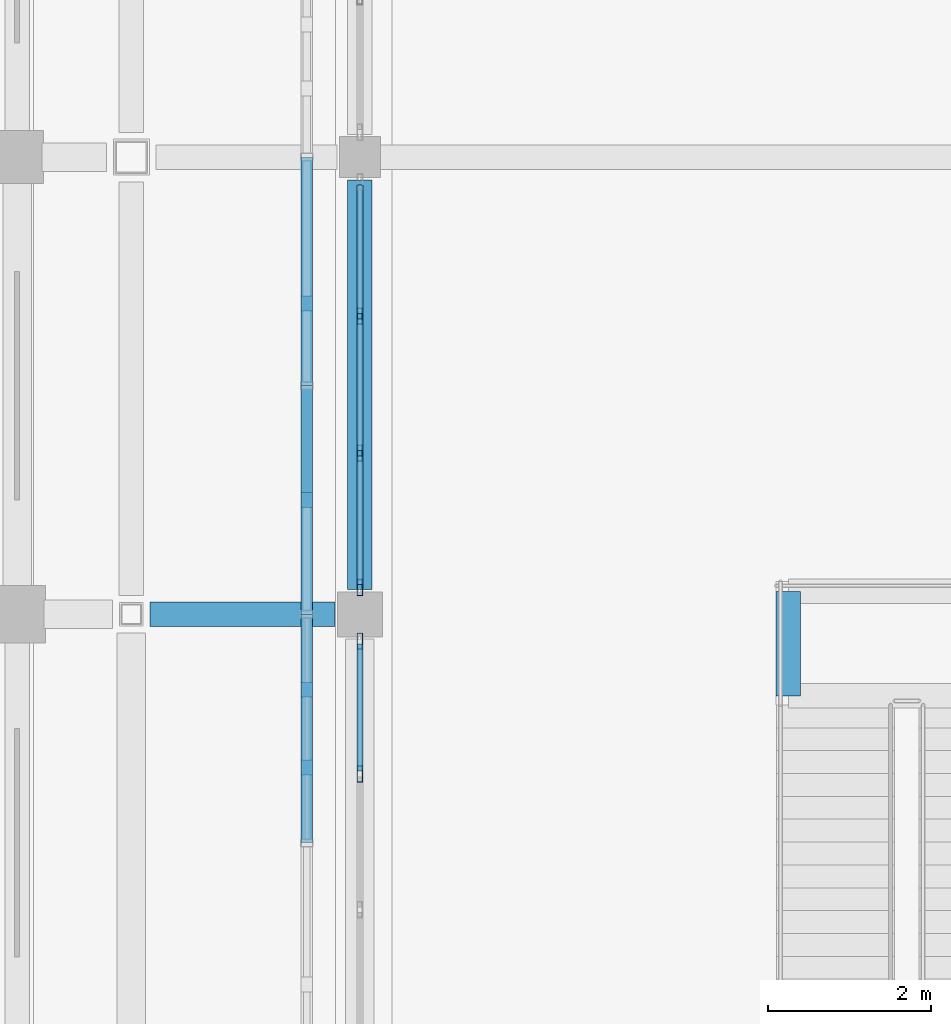
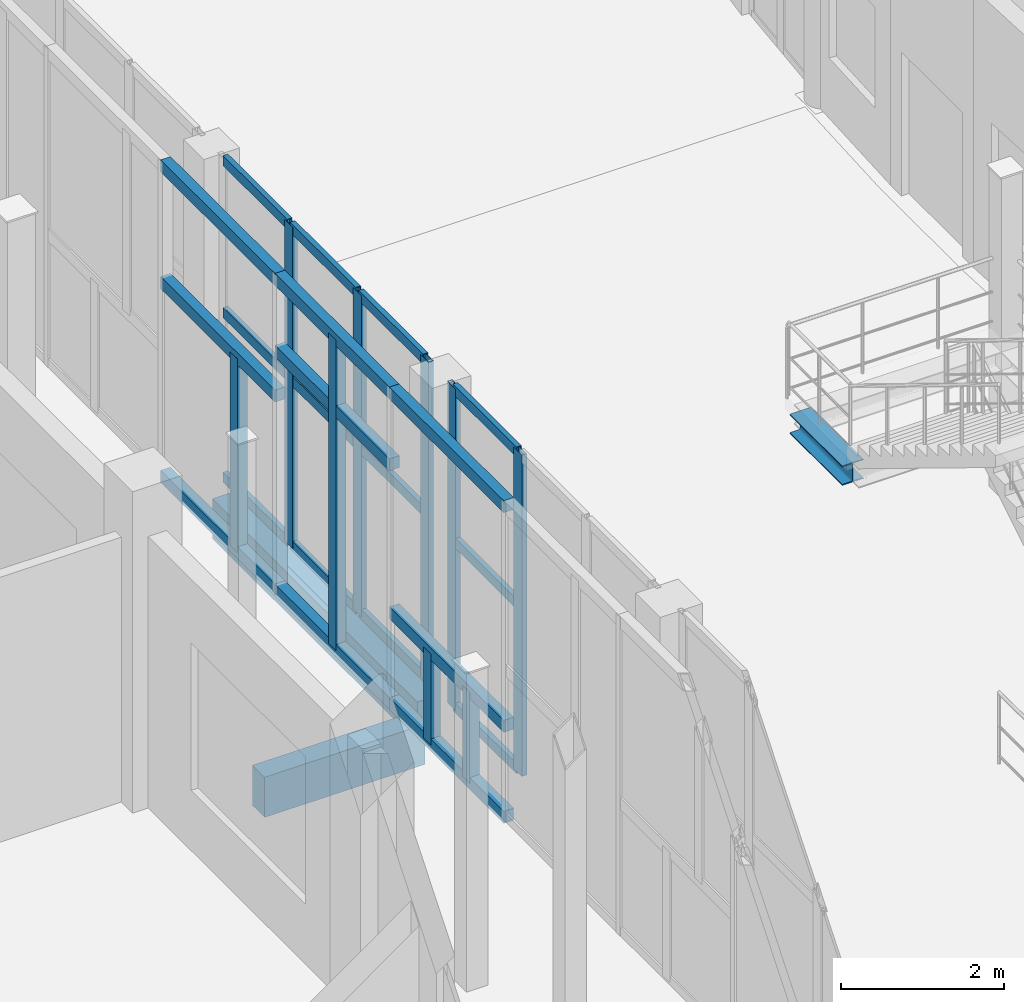
# One storey, part 33 of 91: 30 members, 3 beams, 2 elements without a shape of their own.
"""IFC4 building model written with IfcOpenShell, lengths in metres."""

from ifc_helpers import new_model, si_unit, direction, frame, origin, origin_2d, place, context, subcontext, project, spatial, rectangle, hollow_rectangle, i_section, extrude, material, layer, layer_set, material_profile, profile_set, type_object, element, aggregate, save


model = new_model("IFC4")

# Units and contexts
model_context = context("Model", 3, precision=1e-05, world=origin(), true_north=direction((0.0, 1.0)))
body_context = subcontext(model_context, "Body", "Model", "MODEL_VIEW")
ifc_project = project(units=[si_unit("LENGTHUNIT", "METRE"), si_unit("AREAUNIT", "SQUARE_METRE"), si_unit("VOLUMEUNIT", "CUBIC_METRE"), si_unit("PLANEANGLEUNIT", "RADIAN"), si_unit("MASSUNIT", "GRAM", prefix="KILO")], contexts=[model_context])

# Site, building, storey
site_placement = place(None, origin())
site = spatial("IfcSite", under=ifc_project, at=site_placement, CompositionType="ELEMENT")
building_placement = place(site_placement, origin())
building = spatial("IfcBuilding", under=site, at=building_placement, Name="Vinh Khe Railworks Police Headquarters", CompositionType="ELEMENT")
storey_placement = place(building_placement, origin())
storey = spatial("IfcBuildingStorey", under=building, at=storey_placement, Name="L00", CompositionType="ELEMENT", Elevation=0.0)

# Beam
ifc_material_1 = material(Name="Steel S355JR", Category="steel")
ifc_material_profile_1 = material_profile(ifc_material_1, i_section(OverallWidth=0.300048828125, OverallDepth=0.2900390625, WebThickness=0.008544921875, FlangeThickness=0.013916015625, FilletRadius=0.027099609375, at=origin_2d()), Name="HEA 300")
ifc_profile_set_1 = profile_set([ifc_material_profile_1], Name="Steel S355JR")
beam_type_1 = type_object("IfcBeamType", Name="Feature Stair Trimmer HEA 300", PredefinedType="BEAM", material=ifc_profile_set_1)
beam_1_placement = place(storey_placement, frame((31.64990234375, 35.39990234375, 2.054931640625), z_axis=(0.0, 1.0, 0.0), x_axis=(-1.0, 0.0, 0.0)))
element("IfcBeam", 1, at=beam_1_placement, inside=storey, type_object=beam_type_1, Name="Feature Stair Landing Stringer Beam L00-1", PredefinedType="BEAM", context=body_context, shape_type="SweptSolid", body=[
    extrude(i_section(OverallWidth=0.300048828125, OverallDepth=0.2900390625, WebThickness=0.008544921875, FlangeThickness=0.013916015625, FilletRadius=0.027099609375, at=origin_2d()), origin(), (0.0, 0.0, 1.0), 1.280029296875),
])

# Members
ifc_material_2 = material(Name="Salvaged ironwood timber", Category="wood")
ifc_material_profile_2 = material_profile(ifc_material_2, rectangle(XDim=0.139892578125, YDim=0.179931640625, at=origin_2d()), Name="TIMBER 140x180")
ifc_profile_set_2 = profile_set([ifc_material_profile_2], Name="Salvaged ironwood timber")
member_type_1 = type_object("IfcMemberType", Name="MEM-QUILT-STILE", PredefinedType="CHORD", material=ifc_profile_set_2)
for number, where, z_axis, x_axis, name in (
    (2, (25.75, 33.60009765625, 4.719970703125), (0.0, 1.0, 0.0), (-1.0, 0.0, 0.0), "Salvaged Timber Quilt Transom W-L00-03-TOP"),
    (3, (25.75, 33.60009765625, 0.080078125), (0.0, 1.0, 0.0), (-1.0, 0.0, 0.0), "Salvaged Timber Quilt Transom W-L00-03-BOT"),
    (4, (25.75, 33.60009765625, 1.43994140625), (0.0, 1.0, 0.0), (-1.0, 0.0, 0.0), "Salvaged Timber Quilt Transom W-L00-03-M1"),
):
    element("IfcMember", number, at=place(storey_placement, frame(where, z_axis=z_axis, x_axis=x_axis)), inside=storey, type_object=member_type_1, Name=name, PredefinedType="CHORD", context=body_context, shape_type="SweptSolid", body=[
        extrude(rectangle(XDim=0.139892578125, YDim=0.179931640625, at=origin_2d()), origin(), (0.0, 0.0, 1.0), 2.7998046875),
    ])
for number, where, z_axis, x_axis, name in (
    (5, (25.75, 34.52392578125, 0.080078125), (0.0, 0.0, 1.0), (1.0, 0.0, 0.0), "Salvaged Timber Quilt Stile W-L00-03-V1"),
    (6, (25.75, 35.47607421875, 0.080078125), (0.0, 0.0, 1.0), (1.0, 0.0, 0.0), "Salvaged Timber Quilt Stile W-L00-03-V2"),
):
    element("IfcMember", number, at=place(storey_placement, frame(where, z_axis=z_axis, x_axis=x_axis)), inside=storey, type_object=member_type_1, Name=name, PredefinedType="POST", context=body_context, shape_type="SweptSolid", body=[
        extrude(rectangle(XDim=0.139892578125, YDim=0.179931640625, at=origin_2d()), origin(), (0.0, 0.0, 1.0), 1.35986328125),
    ])
for number, where, z_axis, x_axis, name in (
    (7, (25.75, 36.39990234375, 4.719970703125), (0.0, 1.0, 0.0), (-1.0, 0.0, 0.0), "Salvaged Timber Quilt Transom W-L00-04-TOP"),
    (8, (25.75, 36.39990234375, 0.080078125), (0.0, 1.0, 0.0), (-1.0, 0.0, 0.0), "Salvaged Timber Quilt Transom W-L00-04-BOT"),
    (9, (25.75, 36.39990234375, 3.64794921875), (0.0, 1.0, 0.0), (-1.0, 0.0, 0.0), "Salvaged Timber Quilt Transom W-L00-04-M1"),
):
    element("IfcMember", number, at=place(storey_placement, frame(where, z_axis=z_axis, x_axis=x_axis)), inside=storey, type_object=member_type_1, Name=name, PredefinedType="CHORD", context=body_context, shape_type="SweptSolid", body=[
        extrude(rectangle(XDim=0.139892578125, YDim=0.179931640625, at=origin_2d()), origin(), (0.0, 0.0, 1.0), 2.800048828125),
    ])
member_1_placement = place(storey_placement, frame((25.75, 37.800048828125, 0.080078125), z_axis=(0.0, 0.0, 1.0), x_axis=(1.0, 0.0, 0.0)))
element("IfcMember", 10, at=member_1_placement, inside=storey, type_object=member_type_1, Name="Salvaged Timber Quilt Stile W-L00-04-V1", PredefinedType="POST", context=body_context, shape_type="SweptSolid", body=[
    extrude(rectangle(XDim=0.139892578125, YDim=0.179931640625, at=origin_2d()), origin(), (0.0, 0.0, 1.0), 4.639892578125),
])
for number, where, z_axis, x_axis, name in (
    (11, (25.75, 39.199951171875, 4.719970703125), (0.0, 1.0, 0.0), (-1.0, 0.0, 0.0), "Salvaged Timber Quilt Transom W-L00-05-TOP"),
    (12, (25.75, 39.199951171875, 0.080078125), (0.0, 1.0, 0.0), (-1.0, 0.0, 0.0), "Salvaged Timber Quilt Transom W-L00-05-BOT"),
    (13, (25.75, 39.199951171875, 2.97607421875), (0.0, 1.0, 0.0), (-1.0, 0.0, 0.0), "Salvaged Timber Quilt Transom W-L00-05-M1"),
):
    element("IfcMember", number, at=place(storey_placement, frame(where, z_axis=z_axis, x_axis=x_axis)), inside=storey, type_object=member_type_1, Name=name, PredefinedType="CHORD", context=body_context, shape_type="SweptSolid", body=[
        extrude(rectangle(XDim=0.139892578125, YDim=0.179931640625, at=origin_2d()), origin(), (0.0, 0.0, 1.0), 2.800048828125),
    ])
member_2_placement = place(storey_placement, frame((25.75, 40.2080078125, 0.080078125), z_axis=(0.0, 0.0, 1.0), x_axis=(1.0, 0.0, 0.0)))
element("IfcMember", 14, at=member_2_placement, inside=storey, type_object=member_type_1, Name="Salvaged Timber Quilt Stile W-L00-05-V1", PredefinedType="POST", context=body_context, shape_type="SweptSolid", body=[
    extrude(rectangle(XDim=0.139892578125, YDim=0.179931640625, at=origin_2d()), origin(), (0.0, 0.0, 1.0), 2.89599609375),
])

# Curtain wall, members
ifc_material_3 = material(Name="Anodised aluminium and low-iron glass", Category="aluminium")
ifc_layer = layer(ifc_material_3, 0.179931640625)
ifc_layer_set = layer_set([ifc_layer], Name="Anodised aluminium and low-iron glass")
curtain_wall_type = type_object("IfcCurtainWallType", Name="CW-CUBE-UNIT", PredefinedType="USERDEFINED", material=ifc_layer_set)
curtain_wall_1_placement = place(storey_placement, origin())
curtain_wall_1 = element("IfcCurtainWall", 15, at=curtain_wall_1_placement, inside=storey, type_object=curtain_wall_type, Name="Entrance Hall Curtain Wall L00 W-2", ObjectType="UNITISED GLAZING", PredefinedType="USERDEFINED")
ifc_material_4 = material(Name="Anodised aluminium 6063-T6", Category="aluminium")
ifc_material_profile_3 = material_profile(ifc_material_4, hollow_rectangle(XDim=0.070068359375, YDim=0.199951171875, WallThickness=0.0048828125, at=origin_2d()), Name="CW-M 70x200x5")
ifc_profile_set_3 = profile_set([ifc_material_profile_3], Name="Anodised aluminium 6063-T6")
member_type_2 = type_object("IfcMemberType", Name="MULL-CWM-03", PredefinedType="MULLION", material=ifc_profile_set_3)
member_3_placement = place(storey_placement, frame((26.39990234375, 34.443359375, 0.0), z_axis=(0.0, 0.0, 1.0), x_axis=(-1.0, 0.0, 0.0)))
member_3 = element("IfcMember", 16, at=member_3_placement, type_object=member_type_2, Name="CW-01 mullion 3", PredefinedType="MULLION", context=body_context, shape_type="SweptSolid", body=[
    extrude(hollow_rectangle(XDim=0.070068359375, YDim=0.199951171875, WallThickness=0.0048828125, at=origin_2d()), origin(), (0.0, 0.0, 1.0), 4.800048828125),
])
member_4_placement = place(storey_placement, frame((26.39990234375, 36.070068359375, 0.0), z_axis=(0.0, 0.0, 1.0), x_axis=(-1.0, 0.0, 0.0)))
member_4 = element("IfcMember", 17, at=member_4_placement, type_object=member_type_2, Name="CW-01 mullion 4", PredefinedType="MULLION", context=body_context, shape_type="SweptSolid", body=[
    extrude(hollow_rectangle(XDim=0.070068359375, YDim=0.199951171875, WallThickness=0.0048828125, at=origin_2d()), origin(), (0.0, 0.0, 1.0), 4.800048828125),
])

curtain_wall_2_placement = place(storey_placement, origin())
curtain_wall_2 = element("IfcCurtainWall", 18, at=curtain_wall_2_placement, inside=storey, type_object=curtain_wall_type, Name="Entrance Hall Curtain Wall L00 W-3", ObjectType="UNITISED GLAZING", PredefinedType="USERDEFINED")
member_5_placement = place(storey_placement, frame((26.39990234375, 36.72998046875, 0.0), z_axis=(0.0, 0.0, 1.0), x_axis=(-1.0, 0.0, 0.0)))
member_5 = element("IfcMember", 19, at=member_5_placement, type_object=member_type_2, Name="CW-01 mullion 1", PredefinedType="MULLION", context=body_context, shape_type="SweptSolid", body=[
    extrude(hollow_rectangle(XDim=0.070068359375, YDim=0.199951171875, WallThickness=0.0048828125, at=origin_2d()), origin(), (0.0, 0.0, 1.0), 4.800048828125),
])
member_6_placement = place(storey_placement, frame((26.39990234375, 38.373291015625, 0.0), z_axis=(0.0, 0.0, 1.0), x_axis=(-1.0, 0.0, 0.0)))
member_6 = element("IfcMember", 20, at=member_6_placement, type_object=member_type_2, Name="CW-01 mullion 2", PredefinedType="MULLION", context=body_context, shape_type="SweptSolid", body=[
    extrude(hollow_rectangle(XDim=0.070068359375, YDim=0.199951171875, WallThickness=0.0048828125, at=origin_2d()), origin(), (0.0, 0.0, 1.0), 4.800048828125),
])
member_7_placement = place(storey_placement, frame((26.39990234375, 40.0517578125, 0.0), z_axis=(0.0, 0.0, 1.0), x_axis=(-1.0, 0.0, 0.0)))
member_7 = element("IfcMember", 21, at=member_7_placement, type_object=member_type_2, Name="CW-01 mullion 3", PredefinedType="MULLION", context=body_context, shape_type="SweptSolid", body=[
    extrude(hollow_rectangle(XDim=0.070068359375, YDim=0.199951171875, WallThickness=0.0048828125, at=origin_2d()), origin(), (0.0, 0.0, 1.0), 4.800048828125),
])

# Beams
ifc_material_5 = material(Name="Concrete C35/45 (B35)", Category="concrete")
ifc_material_profile_4 = material_profile(ifc_material_5, rectangle(XDim=0.300048828125, YDim=0.60009765625, at=origin_2d()), Name="RC 300x600")
ifc_profile_set_4 = profile_set([ifc_material_profile_4], Name="Concrete C35/45 (B35)")
beam_type_2 = type_object("IfcBeamType", Name="RC Girder RC 300x600", PredefinedType="BEAM", material=ifc_profile_set_4)
beam_2_placement = place(storey_placement, frame((23.830078125, 36.39990234375, -0.580078125), z_axis=(1.0, 0.0, 0.0), x_axis=(0.0, 1.0, 0.0)))
element("IfcBeam", 22, at=beam_2_placement, inside=storey, type_object=beam_type_2, Name="Girder BM-L00-EW-RB-09-0053", PredefinedType="BEAM", context=body_context, shape_type="SweptSolid", body=[
    extrude(rectangle(XDim=0.300048828125, YDim=0.60009765625, at=origin_2d()), origin(), (0.0, 0.0, 1.0), 2.264892578125),
])
beam_3_placement = place(storey_placement, frame((26.39990234375, 36.705078125, -0.580078125), z_axis=(0.0, 1.0, 0.0), x_axis=(-1.0, 0.0, 0.0)))
element("IfcBeam", 23, at=beam_3_placement, inside=storey, type_object=beam_type_2, Name="Girder BM-L00-NS-RB-09-0278", PredefinedType="BEAM", context=body_context, shape_type="SweptSolid", body=[
    extrude(rectangle(XDim=0.300048828125, YDim=0.60009765625, at=origin_2d()), origin(), (0.0, 0.0, 1.0), 5.014892578125),
])

# Member
ifc_material_profile_5 = material_profile(ifc_material_4, hollow_rectangle(XDim=0.070068359375, YDim=0.14990234375, WallThickness=0.0048828125, at=origin_2d()), Name="CW-T 70x150x5")
ifc_profile_set_5 = profile_set([ifc_material_profile_5], Name="Anodised aluminium 6063-T6")
member_type_3 = type_object("IfcMemberType", Name="TRAN-CWT-03", PredefinedType="USERDEFINED", material=ifc_profile_set_5)
member_8_placement = place(storey_placement, frame((26.39990234375, 34.478271484375, 0.034912109375), z_axis=(0.0, 1.0, 0.0), x_axis=(-1.0, 0.0, 0.0)))
member_8 = element("IfcMember", 24, at=member_8_placement, type_object=member_type_3, Name="CW-01 transom 3.1", ObjectType="TRANSOM", PredefinedType="USERDEFINED", context=body_context, shape_type="SweptSolid", body=[
    extrude(hollow_rectangle(XDim=0.070068359375, YDim=0.14990234375, WallThickness=0.0048828125, at=origin_2d()), origin(), (0.0, 0.0, 1.0), 1.556640625),
])

member_9_placement = place(storey_placement, frame((26.39990234375, 34.478271484375, 2.49609375), z_axis=(0.0, 1.0, 0.0), x_axis=(-1.0, 0.0, 0.0)))
member_9 = element("IfcMember", 25, at=member_9_placement, type_object=member_type_3, Name="CW-01 transom 3.2", ObjectType="TRANSOM", PredefinedType="USERDEFINED", context=body_context, shape_type="SweptSolid", body=[
    extrude(hollow_rectangle(XDim=0.070068359375, YDim=0.14990234375, WallThickness=0.0048828125, at=origin_2d()), origin(), (0.0, 0.0, 1.0), 1.556640625),
])

member_10_placement = place(storey_placement, frame((26.39990234375, 34.478271484375, 4.764892578125), z_axis=(0.0, 1.0, 0.0), x_axis=(-1.0, 0.0, 0.0)))
member_10 = element("IfcMember", 26, at=member_10_placement, type_object=member_type_3, Name="CW-01 transom 3.3", ObjectType="TRANSOM", PredefinedType="USERDEFINED", context=body_context, shape_type="SweptSolid", body=[
    extrude(hollow_rectangle(XDim=0.070068359375, YDim=0.14990234375, WallThickness=0.0048828125, at=origin_2d()), origin(), (0.0, 0.0, 1.0), 1.556640625),
])

aggregate(curtain_wall_1, [member_3, member_4, member_8, member_9, member_10])

member_11_placement = place(storey_placement, frame((26.39990234375, 36.764892578125, 0.034912109375), z_axis=(0.0, 1.0, 0.0), x_axis=(-1.0, 0.0, 0.0)))
member_11 = element("IfcMember", 27, at=member_11_placement, type_object=member_type_3, Name="CW-01 transom 1.1", ObjectType="TRANSOM", PredefinedType="USERDEFINED", context=body_context, shape_type="SweptSolid", body=[
    extrude(hollow_rectangle(XDim=0.070068359375, YDim=0.14990234375, WallThickness=0.0048828125, at=origin_2d()), origin(), (0.0, 0.0, 1.0), 1.573486328125),
])

member_12_placement = place(storey_placement, frame((26.39990234375, 36.764892578125, 2.49609375), z_axis=(0.0, 1.0, 0.0), x_axis=(-1.0, 0.0, 0.0)))
member_12 = element("IfcMember", 28, at=member_12_placement, type_object=member_type_3, Name="CW-01 transom 1.2", ObjectType="TRANSOM", PredefinedType="USERDEFINED", context=body_context, shape_type="SweptSolid", body=[
    extrude(hollow_rectangle(XDim=0.070068359375, YDim=0.14990234375, WallThickness=0.0048828125, at=origin_2d()), origin(), (0.0, 0.0, 1.0), 1.573486328125),
])

member_13_placement = place(storey_placement, frame((26.39990234375, 36.764892578125, 4.764892578125), z_axis=(0.0, 1.0, 0.0), x_axis=(-1.0, 0.0, 0.0)))
member_13 = element("IfcMember", 29, at=member_13_placement, type_object=member_type_3, Name="CW-01 transom 1.3", ObjectType="TRANSOM", PredefinedType="USERDEFINED", context=body_context, shape_type="SweptSolid", body=[
    extrude(hollow_rectangle(XDim=0.070068359375, YDim=0.14990234375, WallThickness=0.0048828125, at=origin_2d()), origin(), (0.0, 0.0, 1.0), 1.573486328125),
])

member_14_placement = place(storey_placement, frame((26.39990234375, 38.408447265625, 0.034912109375), z_axis=(0.0, 1.0, 0.0), x_axis=(-1.0, 0.0, 0.0)))
member_14 = element("IfcMember", 30, at=member_14_placement, type_object=member_type_3, Name="CW-01 transom 2.1", ObjectType="TRANSOM", PredefinedType="USERDEFINED", context=body_context, shape_type="SweptSolid", body=[
    extrude(hollow_rectangle(XDim=0.070068359375, YDim=0.14990234375, WallThickness=0.0048828125, at=origin_2d()), origin(), (0.0, 0.0, 1.0), 1.608154296875),
])

member_15_placement = place(storey_placement, frame((26.39990234375, 38.408447265625, 2.49609375), z_axis=(0.0, 1.0, 0.0), x_axis=(-1.0, 0.0, 0.0)))
member_15 = element("IfcMember", 31, at=member_15_placement, type_object=member_type_3, Name="CW-01 transom 2.2", ObjectType="TRANSOM", PredefinedType="USERDEFINED", context=body_context, shape_type="SweptSolid", body=[
    extrude(hollow_rectangle(XDim=0.070068359375, YDim=0.14990234375, WallThickness=0.0048828125, at=origin_2d()), origin(), (0.0, 0.0, 1.0), 1.608154296875),
])

member_16_placement = place(storey_placement, frame((26.39990234375, 38.408447265625, 4.764892578125), z_axis=(0.0, 1.0, 0.0), x_axis=(-1.0, 0.0, 0.0)))
member_16 = element("IfcMember", 32, at=member_16_placement, type_object=member_type_3, Name="CW-01 transom 2.3", ObjectType="TRANSOM", PredefinedType="USERDEFINED", context=body_context, shape_type="SweptSolid", body=[
    extrude(hollow_rectangle(XDim=0.070068359375, YDim=0.14990234375, WallThickness=0.0048828125, at=origin_2d()), origin(), (0.0, 0.0, 1.0), 1.608154296875),
])

member_17_placement = place(storey_placement, frame((26.39990234375, 40.086669921875, 0.034912109375), z_axis=(0.0, 1.0, 0.0), x_axis=(-1.0, 0.0, 0.0)))
member_17 = element("IfcMember", 33, at=member_17_placement, type_object=member_type_3, Name="CW-01 transom 3.1", ObjectType="TRANSOM", PredefinedType="USERDEFINED", context=body_context, shape_type="SweptSolid", body=[
    extrude(hollow_rectangle(XDim=0.070068359375, YDim=0.14990234375, WallThickness=0.0048828125, at=origin_2d()), origin(), (0.0, 0.0, 1.0), 1.5732421875),
])

member_18_placement = place(storey_placement, frame((26.39990234375, 40.086669921875, 2.49609375), z_axis=(0.0, 1.0, 0.0), x_axis=(-1.0, 0.0, 0.0)))
member_18 = element("IfcMember", 34, at=member_18_placement, type_object=member_type_3, Name="CW-01 transom 3.2", ObjectType="TRANSOM", PredefinedType="USERDEFINED", context=body_context, shape_type="SweptSolid", body=[
    extrude(hollow_rectangle(XDim=0.070068359375, YDim=0.14990234375, WallThickness=0.0048828125, at=origin_2d()), origin(), (0.0, 0.0, 1.0), 1.5732421875),
])

member_19_placement = place(storey_placement, frame((26.39990234375, 40.086669921875, 4.764892578125), z_axis=(0.0, 1.0, 0.0), x_axis=(-1.0, 0.0, 0.0)))
member_19 = element("IfcMember", 35, at=member_19_placement, type_object=member_type_3, Name="CW-01 transom 3.3", ObjectType="TRANSOM", PredefinedType="USERDEFINED", context=body_context, shape_type="SweptSolid", body=[
    extrude(hollow_rectangle(XDim=0.070068359375, YDim=0.14990234375, WallThickness=0.0048828125, at=origin_2d()), origin(), (0.0, 0.0, 1.0), 1.5732421875),
])

aggregate(curtain_wall_2, [member_5, member_6, member_7, member_11, member_12, member_13, member_14, member_15, member_16, member_17, member_18, member_19])

save(model, "model.ifc")
